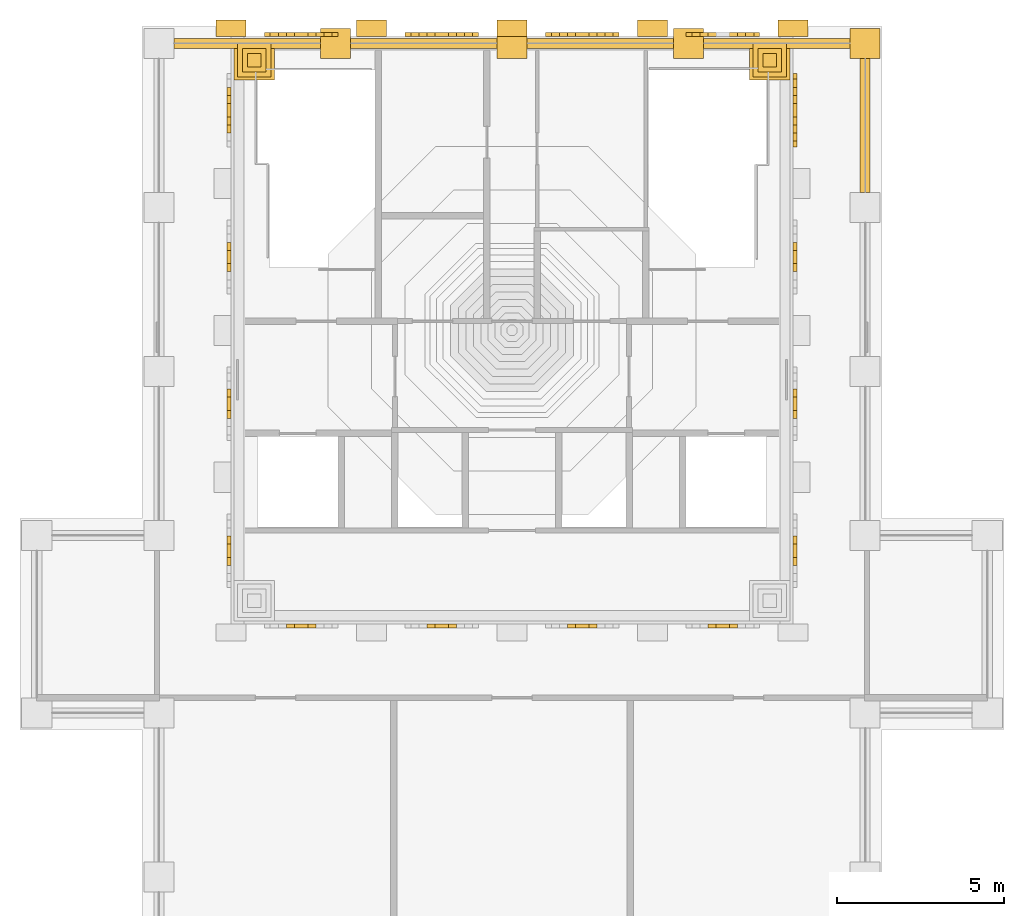
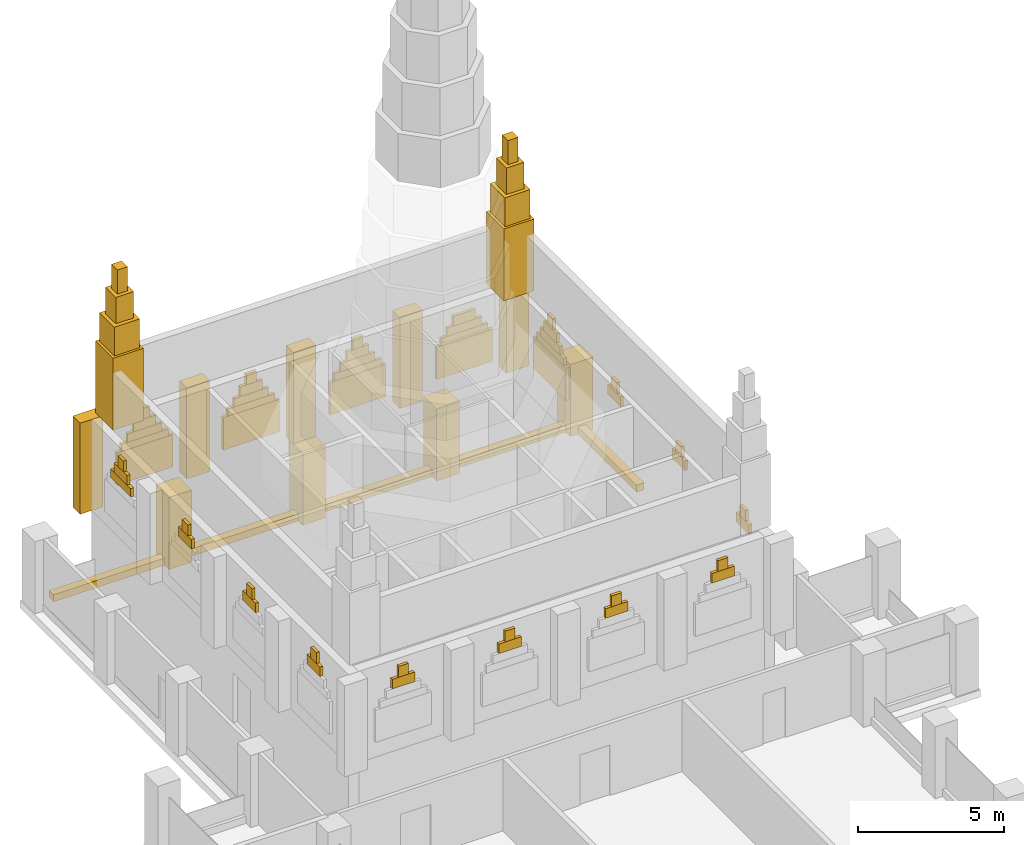
# One storey, part 5 of 6: 69 coverings.
"""IFC4 building model written with IfcOpenShell, lengths in metres."""

from ifc_helpers import new_model, si_unit, direction, frame, origin, place, context, subcontext, project, spatial, polyline, outline, extrude, material, type_object, element, save


model = new_model("IFC4")

# Units and contexts
model_context = context("Model", 3, precision=1e-05, world=origin(), true_north=direction((0.0, 1.0)))
body_context = subcontext(model_context, "Body", "Model", "MODEL_VIEW")
ifc_project = project(units=[si_unit("LENGTHUNIT", "METRE"), si_unit("AREAUNIT", "SQUARE_METRE"), si_unit("VOLUMEUNIT", "CUBIC_METRE"), si_unit("PLANEANGLEUNIT", "RADIAN"), si_unit("MASSUNIT", "GRAM", prefix="KILO")], contexts=[model_context])

# Site, building, storey
site_placement = place(None, origin())
site = spatial("IfcSite", under=ifc_project, at=site_placement, CompositionType="ELEMENT")
building_placement = place(site_placement, origin())
building = spatial("IfcBuilding", under=site, at=building_placement, Name="Vermilion Ogive Tower", CompositionType="ELEMENT")
storey_placement = place(building_placement, frame((0.0, 0.0, 302.85009765625)))
storey = spatial("IfcBuildingStorey", under=building, at=storey_placement, Name="RF", CompositionType="ELEMENT", Elevation=302.85009765625)

# Coverings
ifc_material_1 = material(Name="Stone cladding", Category="masonry")
covering_type_1 = type_object("IfcCoveringType", Name="Core buttress pier", PredefinedType="CLADDING", material=ifc_material_1)
covering_1_placement = place(storey_placement, frame((0.0, 0.0, 3.0)))
element("IfcCovering", 1, at=covering_1_placement, inside=storey, type_object=covering_type_1, Name="Buttress pier RF N1", PredefinedType="CLADDING", context=body_context, shape_type="SweptSolid", body=[
    extrude(outline(polyline([(-8.85009765625, 21.75), (-7.949951171875, 21.75), (-7.949951171875, 22.25), (-8.85009765625, 22.25), (-8.85009765625, 21.75)])), origin(), (0.0, 0.0, 1.0), 3.7998046875),
])
covering_2_placement = place(storey_placement, frame((0.0, 0.0, 3.0)))
element("IfcCovering", 2, at=covering_2_placement, inside=storey, type_object=covering_type_1, Name="Buttress pier RF N2", PredefinedType="CLADDING", context=body_context, shape_type="SweptSolid", body=[
    extrude(outline(polyline([(-4.64990234375, 21.75), (-3.75, 21.75), (-3.75, 22.25), (-4.64990234375, 22.25), (-4.64990234375, 21.75)])), origin(), (0.0, 0.0, 1.0), 3.7998046875),
])
covering_3_placement = place(storey_placement, frame((0.0, 0.0, 3.0)))
element("IfcCovering", 3, at=covering_3_placement, inside=storey, type_object=covering_type_1, Name="Buttress pier RF N3", PredefinedType="CLADDING", context=body_context, shape_type="SweptSolid", body=[
    extrude(outline(polyline([(-0.449951171875, 21.75), (0.449951171875, 21.75), (0.449951171875, 22.25), (-0.449951171875, 22.25), (-0.449951171875, 21.75)])), origin(), (0.0, 0.0, 1.0), 3.7998046875),
])
covering_4_placement = place(storey_placement, frame((0.0, 0.0, 3.0)))
element("IfcCovering", 4, at=covering_4_placement, inside=storey, type_object=covering_type_1, Name="Buttress pier RF N4", PredefinedType="CLADDING", context=body_context, shape_type="SweptSolid", body=[
    extrude(outline(polyline([(3.75, 21.75), (4.64990234375, 21.75), (4.64990234375, 22.25), (3.75, 22.25), (3.75, 21.75)])), origin(), (0.0, 0.0, 1.0), 3.7998046875),
])
covering_5_placement = place(storey_placement, frame((0.0, 0.0, 3.0)))
element("IfcCovering", 5, at=covering_5_placement, inside=storey, type_object=covering_type_1, Name="Buttress pier RF N5", PredefinedType="CLADDING", context=body_context, shape_type="SweptSolid", body=[
    extrude(outline(polyline([(7.949951171875, 21.75), (8.85009765625, 21.75), (8.85009765625, 22.25), (7.949951171875, 22.25), (7.949951171875, 21.75)])), origin(), (0.0, 0.0, 1.0), 3.7998046875),
])
ifc_material_2 = material(Name="Stone cladding", Category="masonry")
covering_type_2 = type_object("IfcCoveringType", Name="Lancet panel", PredefinedType="CLADDING", material=ifc_material_2)
covering_6_placement = place(storey_placement, frame((0.0, 0.0, 3.699951171875)))
element("IfcCovering", 6, at=covering_6_placement, inside=storey, type_object=covering_type_2, Name="Lancet panel RFN1A", PredefinedType="CLADDING", context=body_context, shape_type="SweptSolid", body=[
    extrude(outline(polyline([(-7.39990234375, 21.75), (-5.199951171875, 21.75), (-5.199951171875, 21.8701171875), (-7.39990234375, 21.8701171875), (-7.39990234375, 21.75)])), origin(), (0.0, 0.0, 1.0), 1.349853515625),
])
covering_7_placement = place(storey_placement, frame((0.0, 0.0, 5.0498046875)))
element("IfcCovering", 7, at=covering_7_placement, inside=storey, type_object=covering_type_2, Name="Lancet panel RFN1B", PredefinedType="CLADDING", context=body_context, shape_type="SweptSolid", body=[
    extrude(outline(polyline([(-7.22412109375, 21.75), (-5.3759765625, 21.75), (-5.3759765625, 21.8701171875), (-7.22412109375, 21.8701171875), (-7.22412109375, 21.75)])), origin(), (0.0, 0.0, 1.0), 0.300048828125),
])
covering_8_placement = place(storey_placement, frame((0.0, 0.0, 5.349853515625)))
element("IfcCovering", 8, at=covering_8_placement, inside=storey, type_object=covering_type_2, Name="Lancet panel RFN1C", PredefinedType="CLADDING", context=body_context, shape_type="SweptSolid", body=[
    extrude(outline(polyline([(-6.98193359375, 21.75), (-5.617919921875, 21.75), (-5.617919921875, 21.8701171875), (-6.98193359375, 21.8701171875), (-6.98193359375, 21.75)])), origin(), (0.0, 0.0, 1.0), 0.35009765625),
])
covering_9_placement = place(storey_placement, frame((0.0, 0.0, 5.699951171875)))
element("IfcCovering", 9, at=covering_9_placement, inside=storey, type_object=covering_type_2, Name="Lancet panel RFN1D", PredefinedType="CLADDING", context=body_context, shape_type="SweptSolid", body=[
    extrude(outline(polyline([(-6.739990234375, 21.75), (-5.860107421875, 21.75), (-5.860107421875, 21.8701171875), (-6.739990234375, 21.8701171875), (-6.739990234375, 21.75)])), origin(), (0.0, 0.0, 1.0), 0.39990234375),
])
covering_10_placement = place(storey_placement, frame((0.0, 0.0, 6.099853515625)))
element("IfcCovering", 10, at=covering_10_placement, inside=storey, type_object=covering_type_2, Name="Lancet panel RFN1E", PredefinedType="CLADDING", context=body_context, shape_type="SweptSolid", body=[
    extrude(outline(polyline([(-6.498046875, 21.75), (-6.10205078125, 21.75), (-6.10205078125, 21.8701171875), (-6.498046875, 21.8701171875), (-6.498046875, 21.75)])), origin(), (0.0, 0.0, 1.0), 0.449951171875),
])
covering_11_placement = place(storey_placement, frame((0.0, 0.0, 3.699951171875)))
element("IfcCovering", 11, at=covering_11_placement, inside=storey, type_object=covering_type_2, Name="Lancet panel RFN2A", PredefinedType="CLADDING", context=body_context, shape_type="SweptSolid", body=[
    extrude(outline(polyline([(-3.199951171875, 21.75), (-1.0, 21.75), (-1.0, 21.8701171875), (-3.199951171875, 21.8701171875), (-3.199951171875, 21.75)])), origin(), (0.0, 0.0, 1.0), 1.349853515625),
])
covering_12_placement = place(storey_placement, frame((0.0, 0.0, 5.0498046875)))
element("IfcCovering", 12, at=covering_12_placement, inside=storey, type_object=covering_type_2, Name="Lancet panel RFN2B", PredefinedType="CLADDING", context=body_context, shape_type="SweptSolid", body=[
    extrude(outline(polyline([(-3.02392578125, 21.75), (-1.176025390625, 21.75), (-1.176025390625, 21.8701171875), (-3.02392578125, 21.8701171875), (-3.02392578125, 21.75)])), origin(), (0.0, 0.0, 1.0), 0.300048828125),
])
covering_13_placement = place(storey_placement, frame((0.0, 0.0, 5.349853515625)))
element("IfcCovering", 13, at=covering_13_placement, inside=storey, type_object=covering_type_2, Name="Lancet panel RFN2C", PredefinedType="CLADDING", context=body_context, shape_type="SweptSolid", body=[
    extrude(outline(polyline([(-2.781982421875, 21.75), (-1.41796875, 21.75), (-1.41796875, 21.8701171875), (-2.781982421875, 21.8701171875), (-2.781982421875, 21.75)])), origin(), (0.0, 0.0, 1.0), 0.35009765625),
])
covering_14_placement = place(storey_placement, frame((0.0, 0.0, 5.699951171875)))
element("IfcCovering", 14, at=covering_14_placement, inside=storey, type_object=covering_type_2, Name="Lancet panel RFN2D", PredefinedType="CLADDING", context=body_context, shape_type="SweptSolid", body=[
    extrude(outline(polyline([(-2.5400390625, 21.75), (-1.659912109375, 21.75), (-1.659912109375, 21.8701171875), (-2.5400390625, 21.8701171875), (-2.5400390625, 21.75)])), origin(), (0.0, 0.0, 1.0), 0.39990234375),
])
covering_15_placement = place(storey_placement, frame((0.0, 0.0, 6.099853515625)))
element("IfcCovering", 15, at=covering_15_placement, inside=storey, type_object=covering_type_2, Name="Lancet panel RFN2E", PredefinedType="CLADDING", context=body_context, shape_type="SweptSolid", body=[
    extrude(outline(polyline([(-2.298095703125, 21.75), (-1.902099609375, 21.75), (-1.902099609375, 21.8701171875), (-2.298095703125, 21.8701171875), (-2.298095703125, 21.75)])), origin(), (0.0, 0.0, 1.0), 0.449951171875),
])
covering_16_placement = place(storey_placement, frame((0.0, 0.0, 3.699951171875)))
element("IfcCovering", 16, at=covering_16_placement, inside=storey, type_object=covering_type_2, Name="Lancet panel RFN3A", PredefinedType="CLADDING", context=body_context, shape_type="SweptSolid", body=[
    extrude(outline(polyline([(1.0, 21.75), (3.199951171875, 21.75), (3.199951171875, 21.8701171875), (1.0, 21.8701171875), (1.0, 21.75)])), origin(), (0.0, 0.0, 1.0), 1.349853515625),
])
covering_17_placement = place(storey_placement, frame((0.0, 0.0, 5.0498046875)))
element("IfcCovering", 17, at=covering_17_placement, inside=storey, type_object=covering_type_2, Name="Lancet panel RFN3B", PredefinedType="CLADDING", context=body_context, shape_type="SweptSolid", body=[
    extrude(outline(polyline([(1.176025390625, 21.75), (3.02392578125, 21.75), (3.02392578125, 21.8701171875), (1.176025390625, 21.8701171875), (1.176025390625, 21.75)])), origin(), (0.0, 0.0, 1.0), 0.300048828125),
])
covering_18_placement = place(storey_placement, frame((0.0, 0.0, 5.349853515625)))
element("IfcCovering", 18, at=covering_18_placement, inside=storey, type_object=covering_type_2, Name="Lancet panel RFN3C", PredefinedType="CLADDING", context=body_context, shape_type="SweptSolid", body=[
    extrude(outline(polyline([(1.41796875, 21.75), (2.781982421875, 21.75), (2.781982421875, 21.8701171875), (1.41796875, 21.8701171875), (1.41796875, 21.75)])), origin(), (0.0, 0.0, 1.0), 0.35009765625),
])
covering_19_placement = place(storey_placement, frame((0.0, 0.0, 5.699951171875)))
element("IfcCovering", 19, at=covering_19_placement, inside=storey, type_object=covering_type_2, Name="Lancet panel RFN3D", PredefinedType="CLADDING", context=body_context, shape_type="SweptSolid", body=[
    extrude(outline(polyline([(1.659912109375, 21.75), (2.5400390625, 21.75), (2.5400390625, 21.8701171875), (1.659912109375, 21.8701171875), (1.659912109375, 21.75)])), origin(), (0.0, 0.0, 1.0), 0.39990234375),
])
covering_20_placement = place(storey_placement, frame((0.0, 0.0, 6.099853515625)))
element("IfcCovering", 20, at=covering_20_placement, inside=storey, type_object=covering_type_2, Name="Lancet panel RFN3E", PredefinedType="CLADDING", context=body_context, shape_type="SweptSolid", body=[
    extrude(outline(polyline([(1.902099609375, 21.75), (2.298095703125, 21.75), (2.298095703125, 21.8701171875), (1.902099609375, 21.8701171875), (1.902099609375, 21.75)])), origin(), (0.0, 0.0, 1.0), 0.449951171875),
])
covering_21_placement = place(storey_placement, frame((0.0, 0.0, 3.699951171875)))
element("IfcCovering", 21, at=covering_21_placement, inside=storey, type_object=covering_type_2, Name="Lancet panel RFN4A", PredefinedType="CLADDING", context=body_context, shape_type="SweptSolid", body=[
    extrude(outline(polyline([(5.199951171875, 21.75), (7.39990234375, 21.75), (7.39990234375, 21.8701171875), (5.199951171875, 21.8701171875), (5.199951171875, 21.75)])), origin(), (0.0, 0.0, 1.0), 1.349853515625),
])
covering_22_placement = place(storey_placement, frame((0.0, 0.0, 5.0498046875)))
element("IfcCovering", 22, at=covering_22_placement, inside=storey, type_object=covering_type_2, Name="Lancet panel RFN4B", PredefinedType="CLADDING", context=body_context, shape_type="SweptSolid", body=[
    extrude(outline(polyline([(5.3759765625, 21.75), (7.22412109375, 21.75), (7.22412109375, 21.8701171875), (5.3759765625, 21.8701171875), (5.3759765625, 21.75)])), origin(), (0.0, 0.0, 1.0), 0.300048828125),
])
covering_23_placement = place(storey_placement, frame((0.0, 0.0, 5.349853515625)))
element("IfcCovering", 23, at=covering_23_placement, inside=storey, type_object=covering_type_2, Name="Lancet panel RFN4C", PredefinedType="CLADDING", context=body_context, shape_type="SweptSolid", body=[
    extrude(outline(polyline([(5.617919921875, 21.75), (6.98193359375, 21.75), (6.98193359375, 21.8701171875), (5.617919921875, 21.8701171875), (5.617919921875, 21.75)])), origin(), (0.0, 0.0, 1.0), 0.35009765625),
])
covering_24_placement = place(storey_placement, frame((0.0, 0.0, 5.699951171875)))
element("IfcCovering", 24, at=covering_24_placement, inside=storey, type_object=covering_type_2, Name="Lancet panel RFN4D", PredefinedType="CLADDING", context=body_context, shape_type="SweptSolid", body=[
    extrude(outline(polyline([(5.860107421875, 21.75), (6.739990234375, 21.75), (6.739990234375, 21.8701171875), (5.860107421875, 21.8701171875), (5.860107421875, 21.75)])), origin(), (0.0, 0.0, 1.0), 0.39990234375),
])
covering_25_placement = place(storey_placement, frame((0.0, 0.0, 5.699951171875)))
element("IfcCovering", 25, at=covering_25_placement, inside=storey, type_object=covering_type_2, Name="Lancet panel RFS1D", PredefinedType="CLADDING", context=body_context, shape_type="SweptSolid", body=[
    extrude(outline(polyline([(-5.860107421875, 4.199951171875), (-6.739990234375, 4.199951171875), (-6.739990234375, 4.080078125), (-5.860107421875, 4.080078125), (-5.860107421875, 4.199951171875)])), origin(), (0.0, 0.0, 1.0), 0.39990234375),
])
covering_26_placement = place(storey_placement, frame((0.0, 0.0, 6.099853515625)))
element("IfcCovering", 26, at=covering_26_placement, inside=storey, type_object=covering_type_2, Name="Lancet panel RFS1E", PredefinedType="CLADDING", context=body_context, shape_type="SweptSolid", body=[
    extrude(outline(polyline([(-6.10205078125, 4.199951171875), (-6.498046875, 4.199951171875), (-6.498046875, 4.080078125), (-6.10205078125, 4.080078125), (-6.10205078125, 4.199951171875)])), origin(), (0.0, 0.0, 1.0), 0.449951171875),
])
covering_27_placement = place(storey_placement, frame((0.0, 0.0, 5.699951171875)))
element("IfcCovering", 27, at=covering_27_placement, inside=storey, type_object=covering_type_2, Name="Lancet panel RFS2D", PredefinedType="CLADDING", context=body_context, shape_type="SweptSolid", body=[
    extrude(outline(polyline([(-1.659912109375, 4.199951171875), (-2.5400390625, 4.199951171875), (-2.5400390625, 4.080078125), (-1.659912109375, 4.080078125), (-1.659912109375, 4.199951171875)])), origin(), (0.0, 0.0, 1.0), 0.39990234375),
])
covering_28_placement = place(storey_placement, frame((0.0, 0.0, 6.099853515625)))
element("IfcCovering", 28, at=covering_28_placement, inside=storey, type_object=covering_type_2, Name="Lancet panel RFS2E", PredefinedType="CLADDING", context=body_context, shape_type="SweptSolid", body=[
    extrude(outline(polyline([(-1.902099609375, 4.199951171875), (-2.298095703125, 4.199951171875), (-2.298095703125, 4.080078125), (-1.902099609375, 4.080078125), (-1.902099609375, 4.199951171875)])), origin(), (0.0, 0.0, 1.0), 0.449951171875),
])
covering_29_placement = place(storey_placement, frame((0.0, 0.0, 5.699951171875)))
element("IfcCovering", 29, at=covering_29_placement, inside=storey, type_object=covering_type_2, Name="Lancet panel RFS3D", PredefinedType="CLADDING", context=body_context, shape_type="SweptSolid", body=[
    extrude(outline(polyline([(2.5400390625, 4.199951171875), (1.659912109375, 4.199951171875), (1.659912109375, 4.080078125), (2.5400390625, 4.080078125), (2.5400390625, 4.199951171875)])), origin(), (0.0, 0.0, 1.0), 0.39990234375),
])
covering_30_placement = place(storey_placement, frame((0.0, 0.0, 6.099853515625)))
element("IfcCovering", 30, at=covering_30_placement, inside=storey, type_object=covering_type_2, Name="Lancet panel RFS3E", PredefinedType="CLADDING", context=body_context, shape_type="SweptSolid", body=[
    extrude(outline(polyline([(2.298095703125, 4.199951171875), (1.902099609375, 4.199951171875), (1.902099609375, 4.080078125), (2.298095703125, 4.080078125), (2.298095703125, 4.199951171875)])), origin(), (0.0, 0.0, 1.0), 0.449951171875),
])
covering_31_placement = place(storey_placement, frame((0.0, 0.0, 5.699951171875)))
element("IfcCovering", 31, at=covering_31_placement, inside=storey, type_object=covering_type_2, Name="Lancet panel RFS4D", PredefinedType="CLADDING", context=body_context, shape_type="SweptSolid", body=[
    extrude(outline(polyline([(6.739990234375, 4.199951171875), (5.860107421875, 4.199951171875), (5.860107421875, 4.080078125), (6.739990234375, 4.080078125), (6.739990234375, 4.199951171875)])), origin(), (0.0, 0.0, 1.0), 0.39990234375),
])
covering_32_placement = place(storey_placement, frame((0.0, 0.0, 6.099853515625)))
element("IfcCovering", 32, at=covering_32_placement, inside=storey, type_object=covering_type_2, Name="Lancet panel RFS4E", PredefinedType="CLADDING", context=body_context, shape_type="SweptSolid", body=[
    extrude(outline(polyline([(6.498046875, 4.199951171875), (6.10205078125, 4.199951171875), (6.10205078125, 4.080078125), (6.498046875, 4.080078125), (6.498046875, 4.199951171875)])), origin(), (0.0, 0.0, 1.0), 0.449951171875),
])
covering_33_placement = place(storey_placement, frame((0.0, 0.0, 5.699951171875)))
element("IfcCovering", 33, at=covering_33_placement, inside=storey, type_object=covering_type_2, Name="Lancet panel RFE1D", PredefinedType="CLADDING", context=body_context, shape_type="SweptSolid", body=[
    extrude(outline(polyline([(8.39990234375, 6.833740234375), (8.39990234375, 5.953857421875), (8.52001953125, 5.953857421875), (8.52001953125, 6.833740234375), (8.39990234375, 6.833740234375)])), origin(), (0.0, 0.0, 1.0), 0.39990234375),
])
covering_34_placement = place(storey_placement, frame((0.0, 0.0, 6.099853515625)))
element("IfcCovering", 34, at=covering_34_placement, inside=storey, type_object=covering_type_2, Name="Lancet panel RFE1E", PredefinedType="CLADDING", context=body_context, shape_type="SweptSolid", body=[
    extrude(outline(polyline([(8.39990234375, 6.591796875), (8.39990234375, 6.19580078125), (8.52001953125, 6.19580078125), (8.52001953125, 6.591796875), (8.39990234375, 6.591796875)])), origin(), (0.0, 0.0, 1.0), 0.449951171875),
])
covering_35_placement = place(storey_placement, frame((0.0, 0.0, 5.699951171875)))
element("IfcCovering", 35, at=covering_35_placement, inside=storey, type_object=covering_type_2, Name="Lancet panel RFE2D", PredefinedType="CLADDING", context=body_context, shape_type="SweptSolid", body=[
    extrude(outline(polyline([(8.39990234375, 11.22119140625), (8.39990234375, 10.34130859375), (8.52001953125, 10.34130859375), (8.52001953125, 11.22119140625), (8.39990234375, 11.22119140625)])), origin(), (0.0, 0.0, 1.0), 0.39990234375),
])
covering_36_placement = place(storey_placement, frame((0.0, 0.0, 6.099853515625)))
element("IfcCovering", 36, at=covering_36_placement, inside=storey, type_object=covering_type_2, Name="Lancet panel RFE2E", PredefinedType="CLADDING", context=body_context, shape_type="SweptSolid", body=[
    extrude(outline(polyline([(8.39990234375, 10.979248046875), (8.39990234375, 10.583251953125), (8.52001953125, 10.583251953125), (8.52001953125, 10.979248046875), (8.39990234375, 10.979248046875)])), origin(), (0.0, 0.0, 1.0), 0.449951171875),
])
covering_37_placement = place(storey_placement, frame((0.0, 0.0, 5.699951171875)))
element("IfcCovering", 37, at=covering_37_placement, inside=storey, type_object=covering_type_2, Name="Lancet panel RFE3D", PredefinedType="CLADDING", context=body_context, shape_type="SweptSolid", body=[
    extrude(outline(polyline([(8.39990234375, 15.60888671875), (8.39990234375, 14.728759765625), (8.52001953125, 14.728759765625), (8.52001953125, 15.60888671875), (8.39990234375, 15.60888671875)])), origin(), (0.0, 0.0, 1.0), 0.39990234375),
])
covering_38_placement = place(storey_placement, frame((0.0, 0.0, 6.099853515625)))
element("IfcCovering", 38, at=covering_38_placement, inside=storey, type_object=covering_type_2, Name="Lancet panel RFE3E", PredefinedType="CLADDING", context=body_context, shape_type="SweptSolid", body=[
    extrude(outline(polyline([(8.39990234375, 15.36669921875), (8.39990234375, 14.970703125), (8.52001953125, 14.970703125), (8.52001953125, 15.36669921875), (8.39990234375, 15.36669921875)])), origin(), (0.0, 0.0, 1.0), 0.449951171875),
])
covering_39_placement = place(storey_placement, frame((0.0, 0.0, 3.699951171875)))
element("IfcCovering", 39, at=covering_39_placement, inside=storey, type_object=covering_type_2, Name="Lancet panel RFE4A", PredefinedType="CLADDING", context=body_context, shape_type="SweptSolid", body=[
    extrude(outline(polyline([(8.39990234375, 20.65625), (8.39990234375, 18.456298828125), (8.52001953125, 18.456298828125), (8.52001953125, 20.65625), (8.39990234375, 20.65625)])), origin(), (0.0, 0.0, 1.0), 1.349853515625),
])
covering_40_placement = place(storey_placement, frame((0.0, 0.0, 5.0498046875)))
element("IfcCovering", 40, at=covering_40_placement, inside=storey, type_object=covering_type_2, Name="Lancet panel RFE4B", PredefinedType="CLADDING", context=body_context, shape_type="SweptSolid", body=[
    extrude(outline(polyline([(8.39990234375, 20.480224609375), (8.39990234375, 18.632080078125), (8.52001953125, 18.632080078125), (8.52001953125, 20.480224609375), (8.39990234375, 20.480224609375)])), origin(), (0.0, 0.0, 1.0), 0.300048828125),
])
covering_41_placement = place(storey_placement, frame((0.0, 0.0, 5.349853515625)))
element("IfcCovering", 41, at=covering_41_placement, inside=storey, type_object=covering_type_2, Name="Lancet panel RFE4C", PredefinedType="CLADDING", context=body_context, shape_type="SweptSolid", body=[
    extrude(outline(polyline([(8.39990234375, 20.23828125), (8.39990234375, 18.874267578125), (8.52001953125, 18.874267578125), (8.52001953125, 20.23828125), (8.39990234375, 20.23828125)])), origin(), (0.0, 0.0, 1.0), 0.35009765625),
])
covering_42_placement = place(storey_placement, frame((0.0, 0.0, 5.699951171875)))
element("IfcCovering", 42, at=covering_42_placement, inside=storey, type_object=covering_type_2, Name="Lancet panel RFE4D", PredefinedType="CLADDING", context=body_context, shape_type="SweptSolid", body=[
    extrude(outline(polyline([(8.39990234375, 19.99609375), (8.39990234375, 19.1162109375), (8.52001953125, 19.1162109375), (8.52001953125, 19.99609375), (8.39990234375, 19.99609375)])), origin(), (0.0, 0.0, 1.0), 0.39990234375),
])
covering_43_placement = place(storey_placement, frame((0.0, 0.0, 6.099853515625)))
element("IfcCovering", 43, at=covering_43_placement, inside=storey, type_object=covering_type_2, Name="Lancet panel RFE4E", PredefinedType="CLADDING", context=body_context, shape_type="SweptSolid", body=[
    extrude(outline(polyline([(8.39990234375, 19.754150390625), (8.39990234375, 19.358154296875), (8.52001953125, 19.358154296875), (8.52001953125, 19.754150390625), (8.39990234375, 19.754150390625)])), origin(), (0.0, 0.0, 1.0), 0.449951171875),
])
covering_44_placement = place(storey_placement, frame((0.0, 0.0, 5.699951171875)))
element("IfcCovering", 44, at=covering_44_placement, inside=storey, type_object=covering_type_2, Name="Lancet panel RFW1D", PredefinedType="CLADDING", context=body_context, shape_type="SweptSolid", body=[
    extrude(outline(polyline([(-8.39990234375, 5.953857421875), (-8.39990234375, 6.833740234375), (-8.52001953125, 6.833740234375), (-8.52001953125, 5.953857421875), (-8.39990234375, 5.953857421875)])), origin(), (0.0, 0.0, 1.0), 0.39990234375),
])
covering_45_placement = place(storey_placement, frame((0.0, 0.0, 6.099853515625)))
element("IfcCovering", 45, at=covering_45_placement, inside=storey, type_object=covering_type_2, Name="Lancet panel RFW1E", PredefinedType="CLADDING", context=body_context, shape_type="SweptSolid", body=[
    extrude(outline(polyline([(-8.39990234375, 6.19580078125), (-8.39990234375, 6.591796875), (-8.52001953125, 6.591796875), (-8.52001953125, 6.19580078125), (-8.39990234375, 6.19580078125)])), origin(), (0.0, 0.0, 1.0), 0.449951171875),
])
covering_46_placement = place(storey_placement, frame((0.0, 0.0, 5.699951171875)))
element("IfcCovering", 46, at=covering_46_placement, inside=storey, type_object=covering_type_2, Name="Lancet panel RFW2D", PredefinedType="CLADDING", context=body_context, shape_type="SweptSolid", body=[
    extrude(outline(polyline([(-8.39990234375, 10.34130859375), (-8.39990234375, 11.22119140625), (-8.52001953125, 11.22119140625), (-8.52001953125, 10.34130859375), (-8.39990234375, 10.34130859375)])), origin(), (0.0, 0.0, 1.0), 0.39990234375),
])
covering_47_placement = place(storey_placement, frame((0.0, 0.0, 6.099853515625)))
element("IfcCovering", 47, at=covering_47_placement, inside=storey, type_object=covering_type_2, Name="Lancet panel RFW2E", PredefinedType="CLADDING", context=body_context, shape_type="SweptSolid", body=[
    extrude(outline(polyline([(-8.39990234375, 10.583251953125), (-8.39990234375, 10.979248046875), (-8.52001953125, 10.979248046875), (-8.52001953125, 10.583251953125), (-8.39990234375, 10.583251953125)])), origin(), (0.0, 0.0, 1.0), 0.449951171875),
])
covering_48_placement = place(storey_placement, frame((0.0, 0.0, 5.699951171875)))
element("IfcCovering", 48, at=covering_48_placement, inside=storey, type_object=covering_type_2, Name="Lancet panel RFW3D", PredefinedType="CLADDING", context=body_context, shape_type="SweptSolid", body=[
    extrude(outline(polyline([(-8.39990234375, 14.728759765625), (-8.39990234375, 15.60888671875), (-8.52001953125, 15.60888671875), (-8.52001953125, 14.728759765625), (-8.39990234375, 14.728759765625)])), origin(), (0.0, 0.0, 1.0), 0.39990234375),
])
covering_49_placement = place(storey_placement, frame((0.0, 0.0, 6.099853515625)))
element("IfcCovering", 49, at=covering_49_placement, inside=storey, type_object=covering_type_2, Name="Lancet panel RFW3E", PredefinedType="CLADDING", context=body_context, shape_type="SweptSolid", body=[
    extrude(outline(polyline([(-8.39990234375, 14.970703125), (-8.39990234375, 15.36669921875), (-8.52001953125, 15.36669921875), (-8.52001953125, 14.970703125), (-8.39990234375, 14.970703125)])), origin(), (0.0, 0.0, 1.0), 0.449951171875),
])
covering_50_placement = place(storey_placement, frame((0.0, 0.0, 5.349853515625)))
element("IfcCovering", 50, at=covering_50_placement, inside=storey, type_object=covering_type_2, Name="Lancet panel RFW4C", PredefinedType="CLADDING", context=body_context, shape_type="SweptSolid", body=[
    extrude(outline(polyline([(-8.39990234375, 18.874267578125), (-8.39990234375, 20.23828125), (-8.52001953125, 20.23828125), (-8.52001953125, 18.874267578125), (-8.39990234375, 18.874267578125)])), origin(), (0.0, 0.0, 1.0), 0.35009765625),
])
covering_51_placement = place(storey_placement, frame((0.0, 0.0, 5.699951171875)))
element("IfcCovering", 51, at=covering_51_placement, inside=storey, type_object=covering_type_2, Name="Lancet panel RFW4D", PredefinedType="CLADDING", context=body_context, shape_type="SweptSolid", body=[
    extrude(outline(polyline([(-8.39990234375, 19.1162109375), (-8.39990234375, 19.99609375), (-8.52001953125, 19.99609375), (-8.52001953125, 19.1162109375), (-8.39990234375, 19.1162109375)])), origin(), (0.0, 0.0, 1.0), 0.39990234375),
])
covering_52_placement = place(storey_placement, frame((0.0, 0.0, 6.099853515625)))
element("IfcCovering", 52, at=covering_52_placement, inside=storey, type_object=covering_type_2, Name="Lancet panel RFW4E", PredefinedType="CLADDING", context=body_context, shape_type="SweptSolid", body=[
    extrude(outline(polyline([(-8.39990234375, 19.358154296875), (-8.39990234375, 19.754150390625), (-8.52001953125, 19.754150390625), (-8.52001953125, 19.358154296875), (-8.39990234375, 19.358154296875)])), origin(), (0.0, 0.0, 1.0), 0.449951171875),
])
ifc_material_3 = material(Name="Stone cladding", Category="masonry")
covering_type_3 = type_object("IfcCoveringType", Name="Parapet kerb", PredefinedType="CLADDING", material=ifc_material_3)
covering_53_placement = place(storey_placement, origin())
element("IfcCovering", 53, at=covering_53_placement, inside=storey, type_object=covering_type_3, Name="Parapet kerb 6.1", PredefinedType="CLADDING", context=body_context, shape_type="SweptSolid", body=[
    extrude(outline(polyline([(-10.10009765625, 21.39990234375), (-5.72509765625, 21.39990234375), (-5.72509765625, 21.699951171875), (-10.10009765625, 21.699951171875), (-10.10009765625, 21.39990234375)])), origin(), (0.0, 0.0, 1.0), 0.2998046875),
])
covering_54_placement = place(storey_placement, origin())
element("IfcCovering", 54, at=covering_54_placement, inside=storey, type_object=covering_type_3, Name="Parapet kerb 6.2", PredefinedType="CLADDING", context=body_context, shape_type="SweptSolid", body=[
    extrude(outline(polyline([(-4.824951171875, 21.39990234375), (-0.449951171875, 21.39990234375), (-0.449951171875, 21.699951171875), (-4.824951171875, 21.699951171875), (-4.824951171875, 21.39990234375)])), origin(), (0.0, 0.0, 1.0), 0.2998046875),
])
covering_55_placement = place(storey_placement, origin())
element("IfcCovering", 55, at=covering_55_placement, inside=storey, type_object=covering_type_3, Name="Parapet kerb 6.3", PredefinedType="CLADDING", context=body_context, shape_type="SweptSolid", body=[
    extrude(outline(polyline([(0.449951171875, 21.39990234375), (4.824951171875, 21.39990234375), (4.824951171875, 21.699951171875), (0.449951171875, 21.699951171875), (0.449951171875, 21.39990234375)])), origin(), (0.0, 0.0, 1.0), 0.2998046875),
])
covering_56_placement = place(storey_placement, origin())
element("IfcCovering", 56, at=covering_56_placement, inside=storey, type_object=covering_type_3, Name="Parapet kerb 6.4", PredefinedType="CLADDING", context=body_context, shape_type="SweptSolid", body=[
    extrude(outline(polyline([(5.72509765625, 21.39990234375), (10.10009765625, 21.39990234375), (10.10009765625, 21.699951171875), (5.72509765625, 21.699951171875), (5.72509765625, 21.39990234375)])), origin(), (0.0, 0.0, 1.0), 0.2998046875),
])
covering_57_placement = place(storey_placement, origin())
element("IfcCovering", 57, at=covering_57_placement, inside=storey, type_object=covering_type_3, Name="Parapet kerb 7.1", PredefinedType="CLADDING", context=body_context, shape_type="SweptSolid", body=[
    extrude(outline(polyline([(10.39990234375, 21.10009765625), (10.39990234375, 17.10009765625), (10.699951171875, 17.10009765625), (10.699951171875, 21.10009765625), (10.39990234375, 21.10009765625)])), origin(), (0.0, 0.0, 1.0), 0.2998046875),
])
ifc_material_4 = material(Name="Stone cladding", Category="masonry")
covering_type_4 = type_object("IfcCoveringType", Name="Parapet pier", PredefinedType="CLADDING", material=ifc_material_4)
covering_58_placement = place(storey_placement, origin())
element("IfcCovering", 58, at=covering_58_placement, inside=storey, type_object=covering_type_4, Name="Parapet pier 6.2", PredefinedType="CLADDING", context=body_context, shape_type="SweptSolid", body=[
    extrude(outline(polyline([(-5.72509765625, 21.10009765625), (-4.824951171875, 21.10009765625), (-4.824951171875, 22.0), (-5.72509765625, 22.0), (-5.72509765625, 21.10009765625)])), origin(), (0.0, 0.0, 1.0), 3.0),
])
covering_59_placement = place(storey_placement, origin())
element("IfcCovering", 59, at=covering_59_placement, inside=storey, type_object=covering_type_4, Name="Parapet pier 6.3", PredefinedType="CLADDING", context=body_context, shape_type="SweptSolid", body=[
    extrude(outline(polyline([(-0.449951171875, 21.10009765625), (0.449951171875, 21.10009765625), (0.449951171875, 22.0), (-0.449951171875, 22.0), (-0.449951171875, 21.10009765625)])), origin(), (0.0, 0.0, 1.0), 3.0),
])
covering_60_placement = place(storey_placement, origin())
element("IfcCovering", 60, at=covering_60_placement, inside=storey, type_object=covering_type_4, Name="Parapet pier 6.4", PredefinedType="CLADDING", context=body_context, shape_type="SweptSolid", body=[
    extrude(outline(polyline([(4.824951171875, 21.10009765625), (5.72509765625, 21.10009765625), (5.72509765625, 22.0), (4.824951171875, 22.0), (4.824951171875, 21.10009765625)])), origin(), (0.0, 0.0, 1.0), 3.0),
])
covering_61_placement = place(storey_placement, origin())
element("IfcCovering", 61, at=covering_61_placement, inside=storey, type_object=covering_type_4, Name="Parapet pier 7.1", PredefinedType="CLADDING", context=body_context, shape_type="SweptSolid", body=[
    extrude(outline(polyline([(10.10009765625, 21.10009765625), (11.0, 21.10009765625), (11.0, 22.0), (10.10009765625, 22.0), (10.10009765625, 21.10009765625)])), origin(), (0.0, 0.0, 1.0), 3.0),
])
ifc_material_5 = material(Name="Stone cladding", Category="masonry")
covering_type_5 = type_object("IfcCoveringType", Name="Stone pinnacle", PredefinedType="CLADDING", material=ifc_material_5)
covering_62_placement = place(storey_placement, frame((0.0, 0.0, 7.099853515625)))
element("IfcCovering", 62, at=covering_62_placement, inside=storey, type_object=covering_type_5, Name="Stone pinnacle RFH3A", PredefinedType="CLADDING", context=body_context, shape_type="SweptSolid", body=[
    extrude(outline(polyline([(7.10009765625, 20.449951171875), (8.300048828125, 20.449951171875), (8.300048828125, 21.64990234375), (7.10009765625, 21.64990234375), (7.10009765625, 20.449951171875)])), origin(), (0.0, 0.0, 1.0), 3.0),
])
covering_63_placement = place(storey_placement, frame((0.0, 0.0, 10.099853515625)))
element("IfcCovering", 63, at=covering_63_placement, inside=storey, type_object=covering_type_5, Name="Stone pinnacle RFH3B", PredefinedType="CLADDING", context=body_context, shape_type="SweptSolid", body=[
    extrude(outline(polyline([(7.199951171875, 20.550048828125), (8.199951171875, 20.550048828125), (8.199951171875, 21.550048828125), (7.199951171875, 21.550048828125), (7.199951171875, 20.550048828125)])), origin(), (0.0, 0.0, 1.0), 1.199951171875),
])
covering_64_placement = place(storey_placement, frame((0.0, 0.0, 11.2998046875)))
element("IfcCovering", 64, at=covering_64_placement, inside=storey, type_object=covering_type_5, Name="Stone pinnacle RFH3C", PredefinedType="CLADDING", context=body_context, shape_type="SweptSolid", body=[
    extrude(outline(polyline([(7.35009765625, 20.699951171875), (8.050048828125, 20.699951171875), (8.050048828125, 21.39990234375), (7.35009765625, 21.39990234375), (7.35009765625, 20.699951171875)])), origin(), (0.0, 0.0, 1.0), 1.10009765625),
])
covering_65_placement = place(storey_placement, frame((0.0, 0.0, 12.39990234375)))
element("IfcCovering", 65, at=covering_65_placement, inside=storey, type_object=covering_type_5, Name="Stone pinnacle RFH3D", PredefinedType="CLADDING", context=body_context, shape_type="SweptSolid", body=[
    extrude(outline(polyline([(7.5, 20.85009765625), (7.89990234375, 20.85009765625), (7.89990234375, 21.25), (7.5, 21.25), (7.5, 20.85009765625)])), origin(), (0.0, 0.0, 1.0), 1.0),
])
covering_66_placement = place(storey_placement, frame((0.0, 0.0, 7.099853515625)))
element("IfcCovering", 66, at=covering_66_placement, inside=storey, type_object=covering_type_5, Name="Stone pinnacle RFH4A", PredefinedType="CLADDING", context=body_context, shape_type="SweptSolid", body=[
    extrude(outline(polyline([(-8.300048828125, 20.449951171875), (-7.10009765625, 20.449951171875), (-7.10009765625, 21.64990234375), (-8.300048828125, 21.64990234375), (-8.300048828125, 20.449951171875)])), origin(), (0.0, 0.0, 1.0), 3.0),
])
covering_67_placement = place(storey_placement, frame((0.0, 0.0, 10.099853515625)))
element("IfcCovering", 67, at=covering_67_placement, inside=storey, type_object=covering_type_5, Name="Stone pinnacle RFH4B", PredefinedType="CLADDING", context=body_context, shape_type="SweptSolid", body=[
    extrude(outline(polyline([(-8.199951171875, 20.550048828125), (-7.199951171875, 20.550048828125), (-7.199951171875, 21.550048828125), (-8.199951171875, 21.550048828125), (-8.199951171875, 20.550048828125)])), origin(), (0.0, 0.0, 1.0), 1.199951171875),
])
covering_68_placement = place(storey_placement, frame((0.0, 0.0, 11.2998046875)))
element("IfcCovering", 68, at=covering_68_placement, inside=storey, type_object=covering_type_5, Name="Stone pinnacle RFH4C", PredefinedType="CLADDING", context=body_context, shape_type="SweptSolid", body=[
    extrude(outline(polyline([(-8.050048828125, 20.699951171875), (-7.35009765625, 20.699951171875), (-7.35009765625, 21.39990234375), (-8.050048828125, 21.39990234375), (-8.050048828125, 20.699951171875)])), origin(), (0.0, 0.0, 1.0), 1.10009765625),
])
covering_69_placement = place(storey_placement, frame((0.0, 0.0, 12.39990234375)))
element("IfcCovering", 69, at=covering_69_placement, inside=storey, type_object=covering_type_5, Name="Stone pinnacle RFH4D", PredefinedType="CLADDING", context=body_context, shape_type="SweptSolid", body=[
    extrude(outline(polyline([(-7.89990234375, 20.85009765625), (-7.5, 20.85009765625), (-7.5, 21.25), (-7.89990234375, 21.25), (-7.89990234375, 20.85009765625)])), origin(), (0.0, 0.0, 1.0), 1.0),
])

save(model, "model.ifc")
